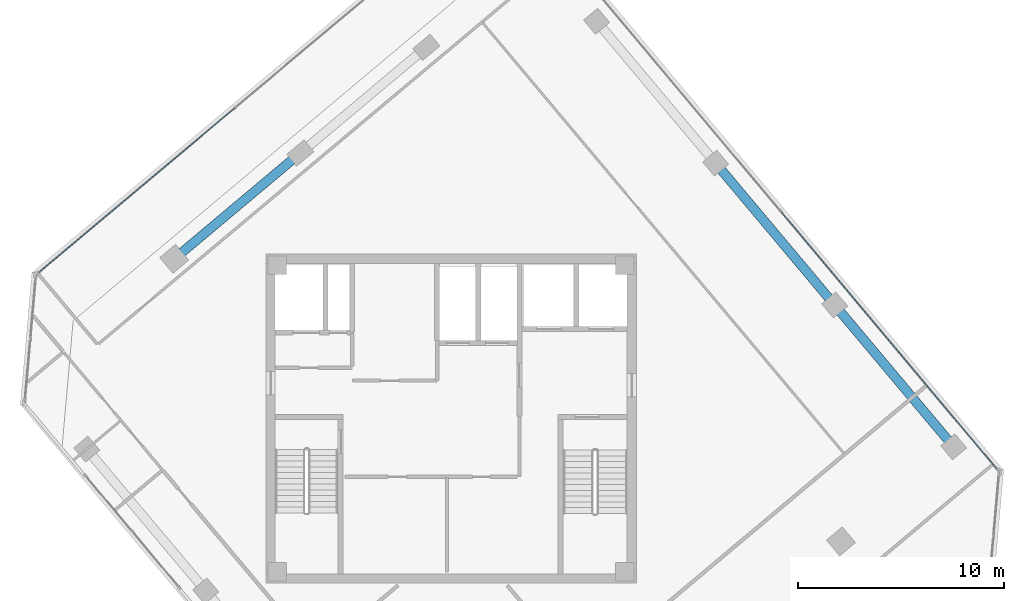
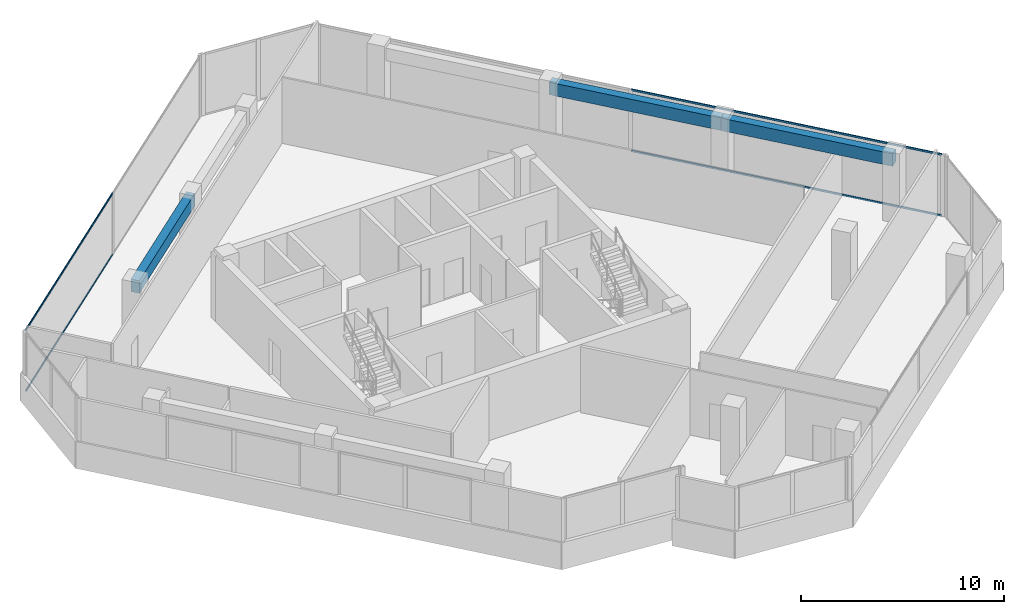
# One storey, part 7 of 17: 4 members, 3 beams, 2 elements without a shape of their own.
"""IFC4 building model written with IfcOpenShell, lengths in metres."""

import ifcopenshell
import ifcopenshell.guid

model = None  # the IFC model being written
_history = None  # IfcOwnerHistory: only IFC2X3 demands one
_inside = {}  # id of a spatial element -> (the spatial element, [elements in it])
_under = {}  # id of a project, library or spatial element -> (it, [spatial elements below it])
_declared = {}  # id of a project -> (the project, [libraries it declares])
_typed = {}  # id of a type object -> (the type object, [elements of that type])
_made_of = {}  # id of a material, layer set ... -> (it, [elements and type objects made of it])


def new_model(schema):
    """Start an empty IFC model of exactly this schema.

    Asked for "IFC4X3", IfcOpenShell would pick the latest addendum, in which some entities
    have other attributes; the version numbers below select the first issue.
    IFC2X3 requires an IfcOwnerHistory on every rooted entity: one is made here for all.
    """
    global model, _history
    if schema == "IFC4X3":
        model = ifcopenshell.file(schema_version=(4, 3, 0, 0))
    else:
        model = ifcopenshell.file(schema=schema)
    _inside.clear()
    _under.clear()
    _declared.clear()
    _typed.clear()
    _made_of.clear()
    _history = None
    if model.schema == "IFC2X3":
        org = make("IfcOrganization", Name="unknown")
        user = make(
            "IfcPersonAndOrganization",
            ThePerson=make("IfcPerson", FamilyName="unknown"),
            TheOrganization=org,
        )
        app = make(
            "IfcApplication",
            ApplicationDeveloper=org,
            Version="unknown",
            ApplicationFullName="unknown",
            ApplicationIdentifier="unknown",
        )
        _history = make(
            "IfcOwnerHistory",
            OwningUser=user,
            OwningApplication=app,
            ChangeAction="ADDED",
            CreationDate=0,
        )
    return model


def make(cls, **values):
    """One entity of the class cls with the attributes given. An attribute that is None is left unset."""
    return model.create_entity(
        cls, **{name: value for name, value in values.items() if value is not None}
    )


def rooted(cls, **values):
    """An entity with a GlobalId (a new one), such as an element, a storey or a relation."""
    return make(cls, GlobalId=ifcopenshell.guid.new(), OwnerHistory=_history, **values)


def si_unit(unit_type, name, prefix=None):
    """IfcSIUnit, for example si_unit("LENGTHUNIT", "METRE", prefix="MILLI")."""
    return make("IfcSIUnit", UnitType=unit_type, Prefix=prefix, Name=name)


def assignment(units):
    """IfcUnitAssignment: the units of a project."""
    return None if units is None else make("IfcUnitAssignment", Units=units)


def point(xyz):
    """IfcCartesianPoint."""
    return None if xyz is None else make("IfcCartesianPoint", Coordinates=xyz)


def direction(xyz):
    """IfcDirection."""
    return None if xyz is None else make("IfcDirection", DirectionRatios=xyz)


def frame(location, z_axis=None, x_axis=None):
    """IfcAxis2Placement3D, a coordinate frame: its origin and axes. An axis left out is left unset."""
    return make(
        "IfcAxis2Placement3D",
        Location=point(location),
        Axis=direction(z_axis),
        RefDirection=direction(x_axis),
    )


def frame_2d(location, x_axis=None):
    """IfcAxis2Placement2D, a coordinate frame in the plane: its origin and x axis."""
    return make(
        "IfcAxis2Placement2D", Location=point(location), RefDirection=direction(x_axis)
    )


def origin():
    """The frame at (0, 0, 0) with its axes left unset."""
    return frame((0.0, 0.0, 0.0))


def origin_2d():
    """The frame at (0, 0) in the plane with its x axis left unset."""
    return frame_2d((0.0, 0.0))


def place(relative_to, where):
    """IfcLocalPlacement: puts the frame where relative to a parent placement (None: the world)."""
    return make(
        "IfcLocalPlacement", PlacementRelTo=relative_to, RelativePlacement=where
    )


def context(
    kind, dimensions, precision=None, world=None, true_north=None, identifier=None
):
    """IfcGeometricRepresentationContext, for example the 3D "Model" context."""
    return make(
        "IfcGeometricRepresentationContext",
        ContextIdentifier=identifier,
        ContextType=kind,
        CoordinateSpaceDimension=dimensions,
        Precision=precision,
        WorldCoordinateSystem=world,
        TrueNorth=true_north,
    )


def subcontext(parent, identifier, kind, view, scale=None):
    """IfcGeometricRepresentationSubContext, for example "Body" below "Model"."""
    return make(
        "IfcGeometricRepresentationSubContext",
        ContextIdentifier=identifier,
        ContextType=kind,
        ParentContext=parent,
        TargetScale=scale,
        TargetView=view,
    )


def project(units=None, contexts=None):
    """IfcProject with its units and contexts."""
    return rooted(
        "IfcProject",
        Name="project",
        RepresentationContexts=contexts,
        UnitsInContext=assignment(units),
    )


def spatial(cls, under=None, at=None, **own):
    """A site, building, storey or space (cls), placed at a placement, below another one or the project."""
    s = rooted(cls, ObjectPlacement=at, **own)
    if under is not None:
        _under.setdefault(under.id(), (under, []))[1].append(s)
    return s


def profile(cls, at=None, kind="AREA", **sizes):
    """A parametric profile (cls). Its sizes go by their IFC names, for example OverallWidth=200.0."""
    return make(cls, ProfileType=kind, Position=at, **sizes)


def rectangle(**sizes):
    """IfcRectangleProfileDef."""
    return profile("IfcRectangleProfileDef", **sizes)


def hollow_rectangle(**sizes):
    """IfcRectangleHollowProfileDef."""
    return profile("IfcRectangleHollowProfileDef", **sizes)


def extrude(swept, where, along, depth):
    """IfcExtrudedAreaSolid: the profile swept, set in the frame where, extruded along a direction by depth."""
    return make(
        "IfcExtrudedAreaSolid",
        SweptArea=swept,
        Position=where,
        ExtrudedDirection=direction(along),
        Depth=depth,
    )


def shape(context_of_items, identifier, shape_type, items):
    """IfcShapeRepresentation: the items that make up one representation, for example the "Body"."""
    return make(
        "IfcShapeRepresentation",
        ContextOfItems=context_of_items,
        RepresentationIdentifier=identifier,
        RepresentationType=shape_type,
        Items=items,
    )


def source(mapping_origin, context_of_items, identifier, shape_type, items):
    """IfcRepresentationMap: a shape defined once, which mapped items show again and again."""
    return make(
        "IfcRepresentationMap",
        MappingOrigin=mapping_origin,
        MappedRepresentation=shape(context_of_items, identifier, shape_type, items),
    )


def transform(
    local_origin,
    x_axis=None,
    y_axis=None,
    z_axis=None,
    scale=None,
    scale2=None,
    scale3=None,
    uniform=True,
):
    """IfcCartesianTransformationOperator3D, or its non-uniform kind. x_axis, y_axis, z_axis: its Axis1, 2, 3."""
    if uniform:
        return make(
            "IfcCartesianTransformationOperator3D",
            Axis1=direction(x_axis),
            Axis2=direction(y_axis),
            LocalOrigin=point(local_origin),
            Scale=scale,
            Axis3=direction(z_axis),
        )
    return make(
        "IfcCartesianTransformationOperator3DnonUniform",
        Axis1=direction(x_axis),
        Axis2=direction(y_axis),
        LocalOrigin=point(local_origin),
        Scale=scale,
        Axis3=direction(z_axis),
        Scale2=scale2,
        Scale3=scale3,
    )


def mapped(mapping_source, mapping_target):
    """IfcMappedItem: shows the shape of a source again, moved by a transform."""
    return make(
        "IfcMappedItem", MappingSource=mapping_source, MappingTarget=mapping_target
    )


def material(Name=None, Category=None):
    """IfcMaterial."""
    return make("IfcMaterial", Name=Name, Category=Category)


def material_profile(
    of_material, cross_section, Name=None, Category=None, Priority=None
):
    """IfcMaterialProfile: a cross section and its material."""
    return make(
        "IfcMaterialProfile",
        Name=Name,
        Material=of_material,
        Profile=cross_section,
        Priority=Priority,
        Category=Category,
    )


def profile_set(profiles, Name=None, composite=None):
    """IfcMaterialProfileSet."""
    return make(
        "IfcMaterialProfileSet",
        Name=Name,
        MaterialProfiles=profiles,
        CompositeProfile=composite,
    )


def made_of(thing, what):
    """Note that an element or type object is made of a material, layer set ...; save() writes the relation."""
    if what is not None:
        _made_of.setdefault(what.id(), (what, []))[1].append(thing)
    return thing


def type_object(cls, material=None, **own):
    """A type object (cls), such as IfcWallType, which elements share."""
    return made_of(rooted(cls, **own), material)


def element(
    cls,
    number,
    at=None,
    inside=None,
    cuts=None,
    type_object=None,
    material=None,
    context=None,
    identifier="Body",
    shape_type=None,
    held_by="IfcProductDefinitionShape",
    body=None,
    shapes=None,
    **own,
):
    """One element of the class cls, such as IfcWall. Its Tag is "e" and its number.

    at: its placement. inside: the storey or other place that contains it. cuts: it is an
    opening in that element (IfcRelVoidsElement). A single representation is given by context,
    identifier, shape_type and body (its items); several are given by shapes. held_by: the class
    of the entity that holds the representations. save() writes the other relations.
    """
    e = rooted(cls, Tag="e%d" % number, ObjectPlacement=at, **own)
    if body is not None:
        shapes = [shape(context, identifier, shape_type, body)]
    if shapes is not None:
        e.Representation = make(held_by, Representations=shapes)
    if inside is not None:
        _inside.setdefault(inside.id(), (inside, []))[1].append(e)
    if cuts is not None:
        rooted(
            "IfcRelVoidsElement", RelatingBuildingElement=cuts, RelatedOpeningElement=e
        )
    if type_object is not None:
        _typed.setdefault(type_object.id(), (type_object, []))[1].append(e)
    return made_of(e, material)


def aggregate(whole, parts):
    """IfcRelAggregates: a whole, such as a stair, and the parts it consists of."""
    return rooted("IfcRelAggregates", RelatingObject=whole, RelatedObjects=parts)


def save(model, path):
    """Write the relations noted so far, then the file.

    IfcRelAggregates (storeys below a building ...), IfcRelContainedInSpatialStructure (elements
    in a storey), IfcRelDefinesByType, IfcRelAssociatesMaterial and IfcRelDeclares: one each for
    every whole, place, type object, material and project.
    """
    for whole, parts in _under.values():
        aggregate(whole, parts)
    for where, things in _inside.values():
        rooted(
            "IfcRelContainedInSpatialStructure",
            RelatedElements=things,
            RelatingStructure=where,
        )
    for kind, things in _typed.values():
        rooted("IfcRelDefinesByType", RelatedObjects=things, RelatingType=kind)
    for what, things in _made_of.values():
        rooted("IfcRelAssociatesMaterial", RelatedObjects=things, RelatingMaterial=what)
    for by, libraries in _declared.values():
        rooted("IfcRelDeclares", RelatingContext=by, RelatedDefinitions=libraries)
    model.write(path)


model = new_model("IFC4")

# Units and contexts
model_context = context("Model", 3, precision=1e-05, world=origin(), true_north=direction((0.0, 1.0)))
body_context = subcontext(model_context, "Body", "Model", "MODEL_VIEW")
ifc_project = project(units=[si_unit("LENGTHUNIT", "METRE"), si_unit("AREAUNIT", "SQUARE_METRE"), si_unit("VOLUMEUNIT", "CUBIC_METRE"), si_unit("PLANEANGLEUNIT", "RADIAN"), si_unit("MASSUNIT", "GRAM", prefix="KILO")], contexts=[model_context])

# Site, building, storey
site_placement = place(None, origin())
site = spatial("IfcSite", under=ifc_project, at=site_placement, CompositionType="ELEMENT")
building_placement = place(site_placement, origin())
building = spatial("IfcBuilding", under=site, at=building_placement, Name="Torre Montelarca", CompositionType="ELEMENT")
storey_placement = place(building_placement, frame((0.0, 0.0, 271.0)))
storey = spatial("IfcBuildingStorey", under=building, at=storey_placement, Name="L61", CompositionType="ELEMENT", Elevation=271.0)

# Beams
ifc_material_1 = material(Name="Concrete C55/67", Category="concrete")
ifc_material_profile_1 = material_profile(ifc_material_1, rectangle(XDim=0.449951171875, YDim=0.75, at=origin_2d()), Name="RCB450X750", Category="concrete")
ifc_profile_set_1 = profile_set([ifc_material_profile_1], Name="Concrete C55/67")
beam_type = type_object("IfcBeamType", Name="BM-SP-RC750-EXT", PredefinedType="SPANDREL", material=ifc_profile_set_1)
shared_shape_1 = source(origin(), body_context, "Body", "SweptSolid", [
    extrude(rectangle(XDim=0.449951171875, YDim=0.75, at=origin_2d()), origin(), (0.0, 0.0, 1.0), 9.0),
])
beam_1_placement = place(storey_placement, frame((36.640869140625, 37.52490234375, 3.5849609375), z_axis=(0.64279820376, -0.766035553511, 0.0), x_axis=(0.766035553511, 0.64279820376, 0.0)))
element("IfcBeam", 1, at=beam_1_placement, inside=storey, type_object=beam_type, Name="L61 Grid Girder X 27.0-36.0 at Y=47.1", PredefinedType="SPANDREL", context=body_context, shape_type="MappedRepresentation", body=[
    mapped(shared_shape_1, transform((0.0, 0.0, 0.0), scale=1.0)),
])
shared_shape_2 = source(origin(), body_context, "Body", "SweptSolid", [
    extrude(rectangle(XDim=0.449951171875, YDim=0.75, at=origin_2d()), origin(), (0.0, 0.0, 1.0), 8.0),
])
beam_2_placement = place(storey_placement, frame((4.540771484375, 39.765380859375, 3.5849609375), z_axis=(0.766033019958, 0.642801223034, 0.0), x_axis=(-0.642801223034, 0.766033019958, 0.0)))
element("IfcBeam", 2, at=beam_2_placement, inside=storey, type_object=beam_type, Name="L61 Grid Girder Y 24.0-32.0 at X=4.7", PredefinedType="SPANDREL", context=body_context, shape_type="MappedRepresentation", body=[
    mapped(shared_shape_2, transform((0.0, 0.0, 0.0), scale=1.0)),
])
shared_shape_3 = source(origin(), body_context, "Body", "SweptSolid", [
    extrude(rectangle(XDim=0.449951171875, YDim=0.75, at=origin_2d()), origin(), (0.0, 0.0, 1.0), 9.000244140625),
])
beam_3_placement = place(storey_placement, frame((30.855712890625, 44.41943359375, 3.5849609375), z_axis=(0.642784846501, -0.766046761698, 0.0), x_axis=(0.766046761698, 0.642784846501, 0.0)))
element("IfcBeam", 3, at=beam_3_placement, inside=storey, type_object=beam_type, Name="L61 Grid Girder X 18.0-27.0 at Y=47.1", PredefinedType="SPANDREL", context=body_context, shape_type="MappedRepresentation", body=[
    mapped(shared_shape_3, transform((0.0, 0.0, 0.0), scale=1.0)),
])

# Curtain wall, members
ifc_material_2 = material(Name="Insulated low-E laminated glass", Category="glass")
curtain_wall_type = type_object("IfcCurtainWallType", Name="CW-SYS-Z3", PredefinedType="USERDEFINED", material=ifc_material_2)
curtain_wall_1_placement = place(storey_placement, origin())
curtain_wall_1 = element("IfcCurtainWall", 4, at=curtain_wall_1_placement, inside=storey, type_object=curtain_wall_type, Name="L61 Curtain Wall Run CW-T3-L61-E10-B1", ObjectType="UNITISED GLAZING", PredefinedType="USERDEFINED")
ifc_material_3 = material(Name="Anodised aluminium AA 6063-T6", Category="aluminium")
ifc_material_profile_2 = material_profile(ifc_material_3, hollow_rectangle(XDim=0.054931640625, YDim=0.1201171875, WallThickness=0.00341796875, InnerFilletRadius=0.00341796875, OuterFilletRadius=0.007080078125, at=origin_2d()), Name="ALU55X120X3.5", Category="aluminium")
ifc_profile_set_2 = profile_set([ifc_material_profile_2], Name="Anodised aluminium AA 6063-T6")
member_type = type_object("IfcMemberType", Name="CWT-ALU120", PredefinedType="USERDEFINED", material=ifc_profile_set_2)
shared_shape_4 = source(origin(), body_context, "Body", "SweptSolid", [
    extrude(hollow_rectangle(XDim=0.054931640625, YDim=0.1201171875, WallThickness=0.00341796875, InnerFilletRadius=0.00341796875, OuterFilletRadius=0.007080078125, at=origin_2d()), origin(), (0.0, 0.0, 1.0), 12.421630859375),
])
member_1_placement = place(storey_placement, frame((7.483154296875, 47.090576171875, 0.027587890625), z_axis=(-0.766051674656, -0.642778991378, 0.0), x_axis=(0.642778991378, -0.766051674656, 0.0)))
member_1 = element("IfcMember", 5, at=member_1_placement, type_object=member_type, Name="CW transom 2.1", ObjectType="TRANSOM", PredefinedType="USERDEFINED", context=body_context, shape_type="MappedRepresentation", body=[
    mapped(shared_shape_4, transform((0.0, 0.0, 0.0), scale=1.0)),
])
member_2_placement = place(storey_placement, frame((7.483154296875, 47.090576171875, 3.6923828125), z_axis=(-0.766051674656, -0.642778991378, 0.0), x_axis=(0.642778991378, -0.766051674656, 0.0)))
member_2 = element("IfcMember", 6, at=member_2_placement, type_object=member_type, Name="CW transom 2.2", ObjectType="TRANSOM", PredefinedType="USERDEFINED", context=body_context, shape_type="MappedRepresentation", body=[
    mapped(shared_shape_4, transform((0.0, 0.0, 0.0), scale=1.0)),
])
aggregate(curtain_wall_1, [member_1, member_2])

curtain_wall_2_placement = place(storey_placement, origin())
curtain_wall_2 = element("IfcCurtainWall", 7, at=curtain_wall_2_placement, inside=storey, type_object=curtain_wall_type, Name="L61 Curtain Wall Run CW-T3-L61-E08-B1", ObjectType="UNITISED GLAZING", PredefinedType="USERDEFINED")
shared_shape_5 = source(origin(), body_context, "Body", "SweptSolid", [
    extrude(hollow_rectangle(XDim=0.054931640625, YDim=0.1201171875, WallThickness=0.00341796875, InnerFilletRadius=0.00341796875, OuterFilletRadius=0.007080078125, at=origin_2d()), origin(), (0.0, 0.0, 1.0), 16.271728515625),
])
member_3_placement = place(storey_placement, frame((44.5185546875, 29.56787109375, 0.027587890625), z_axis=(-0.642786986582, 0.766044965965, 0.0), x_axis=(-0.766044965965, -0.642786986582, 0.0)))
member_3 = element("IfcMember", 8, at=member_3_placement, type_object=member_type, Name="CW transom 1.1", ObjectType="TRANSOM", PredefinedType="USERDEFINED", context=body_context, shape_type="MappedRepresentation", body=[
    mapped(shared_shape_5, transform((0.0, 0.0, 0.0), scale=1.0)),
])
member_4_placement = place(storey_placement, frame((44.5185546875, 29.56787109375, 3.6923828125), z_axis=(-0.642786986582, 0.766044965965, 0.0), x_axis=(-0.766044965965, -0.642786986582, 0.0)))
member_4 = element("IfcMember", 9, at=member_4_placement, type_object=member_type, Name="CW transom 1.2", ObjectType="TRANSOM", PredefinedType="USERDEFINED", context=body_context, shape_type="MappedRepresentation", body=[
    mapped(shared_shape_5, transform((0.0, 0.0, 0.0), scale=1.0)),
])
aggregate(curtain_wall_2, [member_3, member_4])

save(model, "model.ifc")
